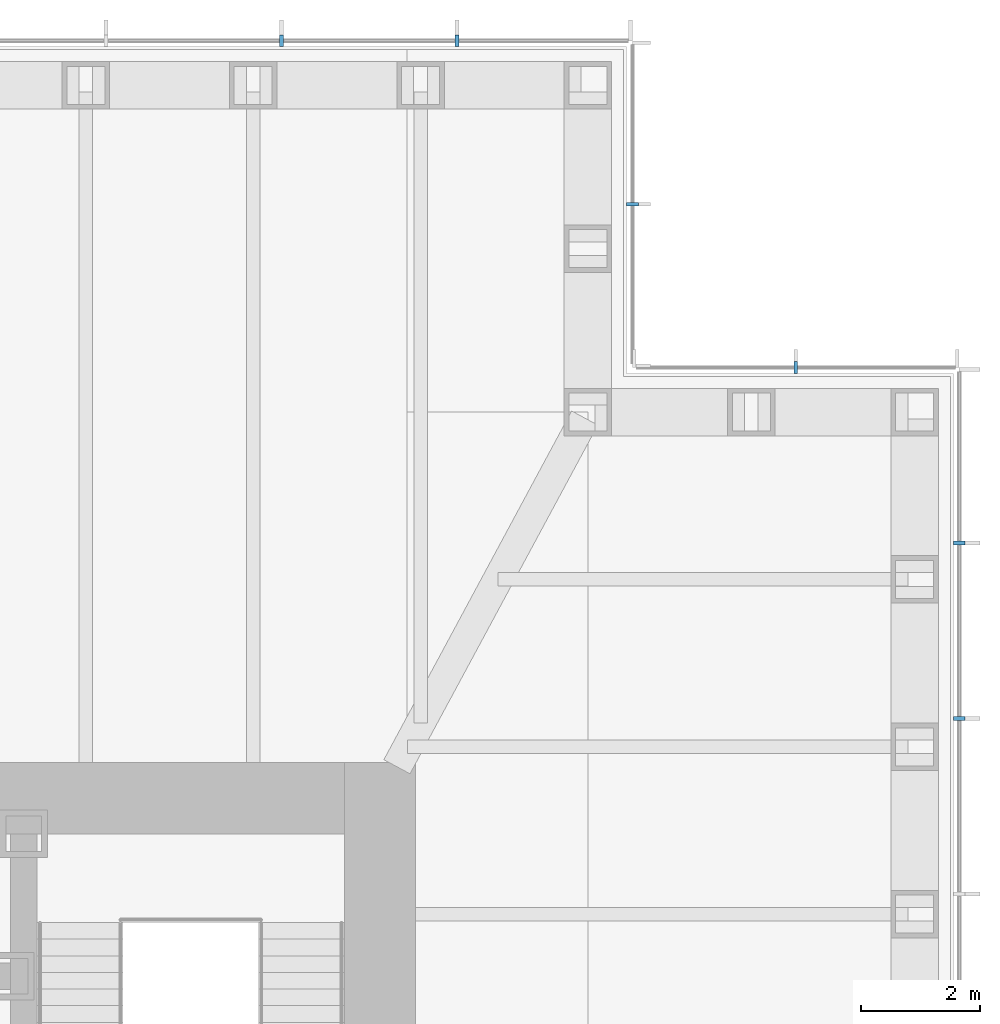
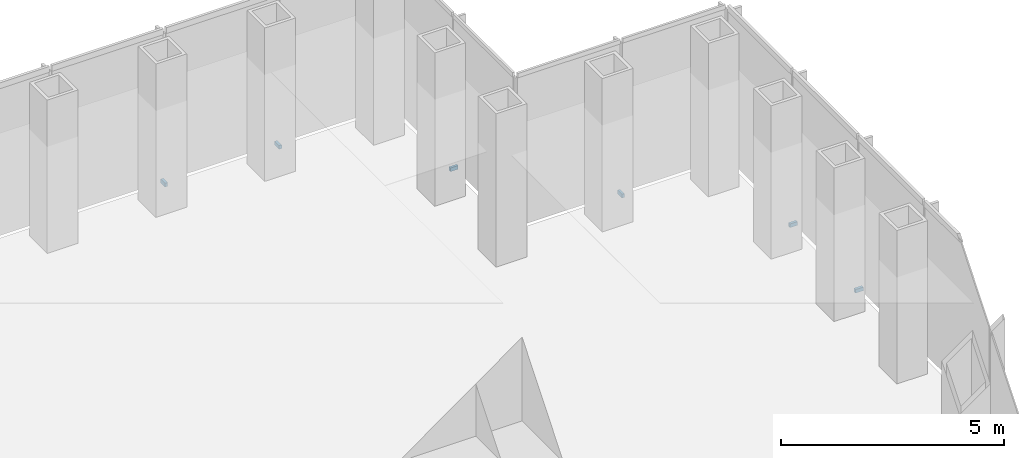
# One storey, part 15 of 16: 6 discrete accessories.
"""IFC4 building model written with IfcOpenShell, lengths in metres."""

from ifc_helpers import new_model, si_unit, direction, frame, origin, origin_2d, place, context, subcontext, project, spatial, rectangle, extrude, element, save


model = new_model("IFC4")

# Units and contexts
model_context = context("Model", 3, precision=1e-05, world=origin(), true_north=direction((0.0, 1.0)))
body_context = subcontext(model_context, "Body", "Model", "MODEL_VIEW")
ifc_project = project(units=[si_unit("LENGTHUNIT", "METRE"), si_unit("AREAUNIT", "SQUARE_METRE"), si_unit("VOLUMEUNIT", "CUBIC_METRE"), si_unit("PLANEANGLEUNIT", "RADIAN"), si_unit("MASSUNIT", "GRAM", prefix="KILO")], contexts=[model_context])

# Site, building, storey
site_placement = place(None, origin())
site = spatial("IfcSite", under=ifc_project, at=site_placement, CompositionType="ELEMENT")
building_placement = place(site_placement, origin())
building = spatial("IfcBuilding", under=site, at=building_placement, Name="Daluyong Arena Tower", CompositionType="ELEMENT")
storey_placement = place(building_placement, frame((0.0, 0.0, 240.10009765625)))
storey = spatial("IfcBuildingStorey", under=building, at=storey_placement, Name="L54", CompositionType="ELEMENT", Elevation=240.10009765625)

# Discrete accessories
for number, where, z_axis, x_axis, name in (
    (1, (77.75, 90.3408203125, -0.10009765625), (0.0, 0.0, 1.0), (0.0, 1.0, 0.0), "curtain wall L54 E anchor bracket 10"),
    (2, (77.75, 93.29541015625, -0.10009765625), (0.0, 0.0, 1.0), (0.0, 1.0, 0.0), "curtain wall L54 E anchor bracket 11"),
):
    element("IfcDiscreteAccessory", number, at=place(storey_placement, frame(where, z_axis=z_axis, x_axis=x_axis)), inside=storey, Name=name, PredefinedType="BRACKET", context=body_context, shape_type="SweptSolid", body=[
        extrude(rectangle(XDim=0.070068359375, YDim=0.199951171875, at=origin_2d()), origin(), (0.0, 0.0, 1.0), 0.10009765625),
    ])
for number, where, z_axis, x_axis, name in (
    (3, (75.0, 96.25, -0.10009765625), (0.0, 0.0, 1.0), (-1.0, 0.0, 0.0), "curtain wall L54 NE-N anchor bracket 2"),
    (4, (72.25, 99.0, -0.10009765625), (0.0, 0.0, 1.0), (0.0, 1.0, 0.0), "curtain wall L54 NE-E anchor bracket 2"),
):
    element("IfcDiscreteAccessory", number, at=place(storey_placement, frame(where, z_axis=z_axis, x_axis=x_axis)), inside=storey, Name=name, PredefinedType="BRACKET", context=body_context, shape_type="SweptSolid", body=[
        extrude(rectangle(XDim=0.06005859375, YDim=0.199951171875, at=origin_2d()), origin(), (0.0, 0.0, 1.0), 0.10009765625),
    ])
for number, where, z_axis, x_axis, name in (
    (5, (69.29541015625, 101.75, -0.10009765625), (0.0, 0.0, 1.0), (-1.0, 0.0, 0.0), "curtain wall L54 N anchor bracket 2"),
    (6, (66.3408203125, 101.75, -0.10009765625), (0.0, 0.0, 1.0), (-1.0, 0.0, 0.0), "curtain wall L54 N anchor bracket 3"),
):
    element("IfcDiscreteAccessory", number, at=place(storey_placement, frame(where, z_axis=z_axis, x_axis=x_axis)), inside=storey, Name=name, PredefinedType="BRACKET", context=body_context, shape_type="SweptSolid", body=[
        extrude(rectangle(XDim=0.070068359375, YDim=0.199951171875, at=origin_2d()), origin(), (0.0, 0.0, 1.0), 0.10009765625),
    ])

save(model, "model.ifc")
